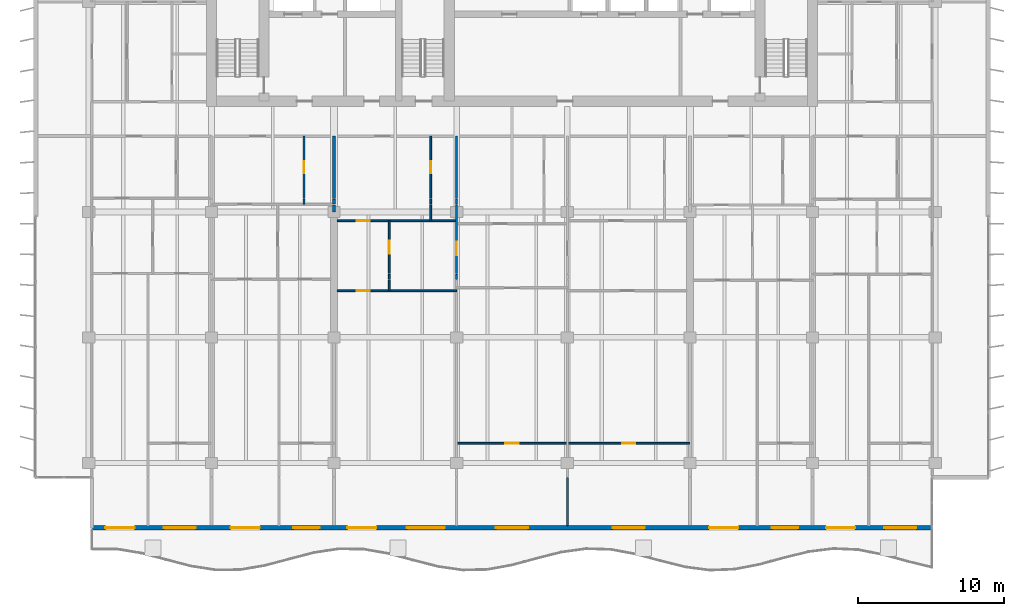
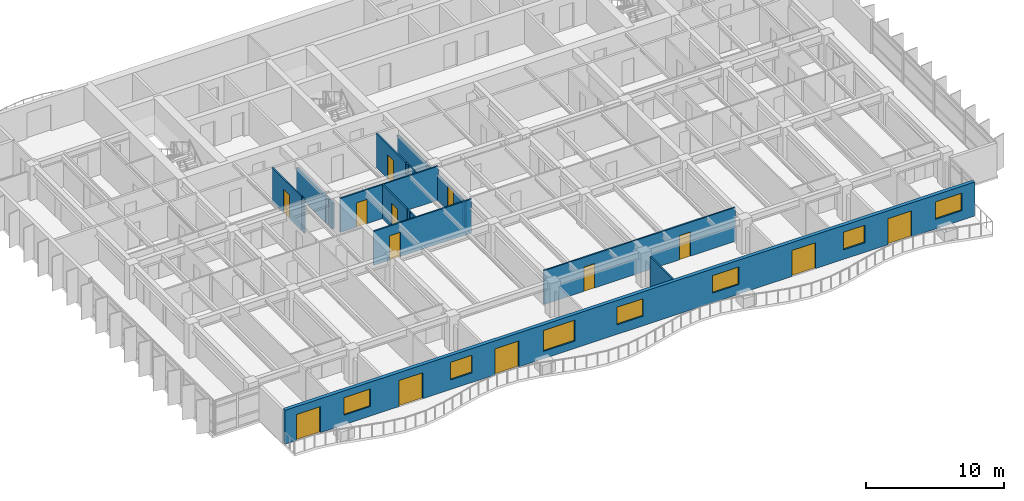
# One storey, part 9 of 18: 20 walls, 13 doors, 7 windows, 20 openings.
"""IFC4 building model written with IfcOpenShell, lengths in metres."""

from ifc_helpers import new_model, si_unit, direction, frame, frame_2d, origin, place, context, subcontext, project, spatial, rectangle, extrude, material, layer, layer_set, type_object, element, fill, save


model = new_model("IFC4")

# Units and contexts
model_context = context("Model", 3, precision=1e-05, world=origin(), true_north=direction((0.0, 1.0)))
body_context = subcontext(model_context, "Body", "Model", "MODEL_VIEW")
ifc_project = project(units=[si_unit("LENGTHUNIT", "METRE"), si_unit("AREAUNIT", "SQUARE_METRE"), si_unit("VOLUMEUNIT", "CUBIC_METRE"), si_unit("PLANEANGLEUNIT", "RADIAN"), si_unit("MASSUNIT", "GRAM", prefix="KILO")], contexts=[model_context])

# Site, building, storey
site_placement = place(None, origin())
site = spatial("IfcSite", under=ifc_project, at=site_placement, CompositionType="ELEMENT")
building_placement = place(site_placement, origin())
building = spatial("IfcBuilding", under=site, at=building_placement, Name="Caelmar Bay Residences", CompositionType="ELEMENT")
storey_placement = place(building_placement, frame((0.0, 0.0, 180.300048828125)))
storey = spatial("IfcBuildingStorey", under=building, at=storey_placement, Name="L50", CompositionType="ELEMENT", Elevation=180.300048828125)

# Wall, openings, doors, windows
ifc_material_1 = material(Name="Precast concrete f'c 40 MPa (6,000 psi)", Category="concrete")
ifc_layer_1 = layer(ifc_material_1, 0.300048828125)
ifc_layer_set_1 = layer_set([ifc_layer_1], Name="Precast concrete f'c 40 MPa (6,000 psi)")
wall_type_1 = type_object("IfcWallType", Name="W-EXT-300", PredefinedType="STANDARD", material=ifc_layer_set_1)
wall_1_placement = place(storey_placement, frame((67.699951171875, 7.75, 0.0), z_axis=(0.0, 0.0, 1.0), x_axis=(-1.0, 0.0, 0.0)))
wall_1 = element("IfcWall", 1, at=wall_1_placement, inside=storey, type_object=wall_type_1, Name="L50 South Bayfront Exterior Wall", PredefinedType="STANDARD", context=body_context, shape_type="SweptSolid", body=[
    extrude(rectangle(XDim=57.599853515625, YDim=0.300048828125, at=frame_2d((28.7998046875, 0.0))), origin(), (0.0, 0.0, 1.0), 3.0),
])
opening_1_placement = place(wall_1_placement, frame((54.673095703125, 0.0, 0.0)))
opening_1 = element("IfcOpeningElement", 2, at=opening_1_placement, cuts=wall_1, Name="Opening L50-BD01", PredefinedType="OPENING", context=body_context, shape_type="SweptSolid", body=[
    extrude(rectangle(XDim=2.0, YDim=2.300048828125, at=frame_2d((1.0, 1.14990234375))), frame((0.0, 0.159912109375, 0.0), z_axis=(0.0, -1.0, 0.0), x_axis=(1.0, 0.0, 0.0)), (0.0, 0.0, 1.0), 0.320068359375),
])
opening_2_placement = place(wall_1_placement, frame((50.472900390625, 0.0, 0.85009765625)))
opening_2 = element("IfcOpeningElement", 3, at=opening_2_placement, cuts=wall_1, Name="Opening WN2", PredefinedType="OPENING", context=body_context, shape_type="SweptSolid", body=[
    extrude(rectangle(XDim=2.199951171875, YDim=1.550048828125, at=frame_2d((1.10009765625, 0.77490234375))), frame((0.0, 0.159912109375, 0.0), z_axis=(0.0, -1.0, 0.0), x_axis=(1.0, 0.0, 0.0)), (0.0, 0.0, 1.0), 0.320068359375),
])
opening_3_placement = place(wall_1_placement, frame((46.090087890625, 0.0, 0.0)))
opening_3 = element("IfcOpeningElement", 4, at=opening_3_placement, cuts=wall_1, Name="Opening L50-BD02", PredefinedType="OPENING", context=body_context, shape_type="SweptSolid", body=[
    extrude(rectangle(XDim=2.0, YDim=2.300048828125, at=frame_2d((1.0, 1.14990234375))), frame((0.0, 0.159912109375, 0.0), z_axis=(0.0, -1.0, 0.0), x_axis=(1.0, 0.0, 0.0)), (0.0, 0.0, 1.0), 0.320068359375),
])
opening_4_placement = place(wall_1_placement, frame((41.989990234375, 0.0, 0.85009765625)))
opening_4 = element("IfcOpeningElement", 5, at=opening_4_placement, cuts=wall_1, Name="Opening WN1", PredefinedType="OPENING", context=body_context, shape_type="SweptSolid", body=[
    extrude(rectangle(XDim=1.800048828125, YDim=1.550048828125, at=frame_2d((0.89990234375, 0.77490234375))), frame((0.0, 0.159912109375, 0.0), z_axis=(0.0, -1.0, 0.0), x_axis=(1.0, 0.0, 0.0)), (0.0, 0.0, 1.0), 0.320068359375),
])
opening_5_placement = place(wall_1_placement, frame((38.090087890625, 0.0, 0.0)))
opening_5 = element("IfcOpeningElement", 6, at=opening_5_placement, cuts=wall_1, Name="Opening L50-BD03", PredefinedType="OPENING", context=body_context, shape_type="SweptSolid", body=[
    extrude(rectangle(XDim=2.0, YDim=2.300048828125, at=frame_2d((1.0, 1.14990234375))), frame((0.0, 0.159912109375, 0.0), z_axis=(0.0, -1.0, 0.0), x_axis=(1.0, 0.0, 0.0)), (0.0, 0.0, 1.0), 0.320068359375),
])
opening_6_placement = place(wall_1_placement, frame((33.409912109375, 0.0, 0.64990234375)))
opening_6 = element("IfcOpeningElement", 7, at=opening_6_placement, cuts=wall_1, Name="Opening WN3", PredefinedType="OPENING", context=body_context, shape_type="SweptSolid", body=[
    extrude(rectangle(XDim=2.60009765625, YDim=1.85009765625, at=frame_2d((1.300048828125, 0.925048828125))), frame((0.0, 0.159912109375, 0.0), z_axis=(0.0, -1.0, 0.0), x_axis=(1.0, 0.0, 0.0)), (0.0, 0.0, 1.0), 0.320068359375),
])
opening_7_placement = place(wall_1_placement, frame((27.699951171875, 0.0, 0.85009765625)))
opening_7 = element("IfcOpeningElement", 8, at=opening_7_placement, cuts=wall_1, Name="Opening WN2", PredefinedType="OPENING", context=body_context, shape_type="SweptSolid", body=[
    extrude(rectangle(XDim=2.199951171875, YDim=1.550048828125, at=frame_2d((1.10009765625, 0.77490234375))), frame((0.0, 0.159912109375, 0.0), z_axis=(0.0, -1.0, 0.0), x_axis=(1.0, 0.0, 0.0)), (0.0, 0.0, 1.0), 0.320068359375),
])
opening_8_placement = place(wall_1_placement, frame((19.699951171875, 0.0, 0.85009765625)))
opening_8 = element("IfcOpeningElement", 9, at=opening_8_placement, cuts=wall_1, Name="Opening WN2", PredefinedType="OPENING", context=body_context, shape_type="SweptSolid", body=[
    extrude(rectangle(XDim=2.199951171875, YDim=1.550048828125, at=frame_2d((1.10009765625, 0.77490234375))), frame((0.0, 0.159912109375, 0.0), z_axis=(0.0, -1.0, 0.0), x_axis=(1.0, 0.0, 0.0)), (0.0, 0.0, 1.0), 0.320068359375),
])
opening_9_placement = place(wall_1_placement, frame((13.2900390625, 0.0, 0.0)))
opening_9 = element("IfcOpeningElement", 10, at=opening_9_placement, cuts=wall_1, Name="Opening L50-BD04", PredefinedType="OPENING", context=body_context, shape_type="SweptSolid", body=[
    extrude(rectangle(XDim=2.0, YDim=2.300048828125, at=frame_2d((1.0, 1.14990234375))), frame((0.0, 0.159912109375, 0.0), z_axis=(0.0, -1.0, 0.0), x_axis=(1.0, 0.0, 0.0)), (0.0, 0.0, 1.0), 0.320068359375),
])
opening_10_placement = place(wall_1_placement, frame((9.18994140625, 0.0, 0.85009765625)))
opening_10 = element("IfcOpeningElement", 11, at=opening_10_placement, cuts=wall_1, Name="Opening WN1", PredefinedType="OPENING", context=body_context, shape_type="SweptSolid", body=[
    extrude(rectangle(XDim=1.800048828125, YDim=1.550048828125, at=frame_2d((0.89990234375, 0.77490234375))), frame((0.0, 0.159912109375, 0.0), z_axis=(0.0, -1.0, 0.0), x_axis=(1.0, 0.0, 0.0)), (0.0, 0.0, 1.0), 0.320068359375),
])
opening_11_placement = place(wall_1_placement, frame((5.27294921875, 0.0, 0.0)))
opening_11 = element("IfcOpeningElement", 12, at=opening_11_placement, cuts=wall_1, Name="Opening L50-BD05", PredefinedType="OPENING", context=body_context, shape_type="SweptSolid", body=[
    extrude(rectangle(XDim=2.0, YDim=2.300048828125, at=frame_2d((1.0, 1.14990234375))), frame((0.0, 0.159912109375, 0.0), z_axis=(0.0, -1.0, 0.0), x_axis=(1.0, 0.0, 0.0)), (0.0, 0.0, 1.0), 0.320068359375),
])
opening_12_placement = place(wall_1_placement, frame((1.072998046875, 0.0, 0.85009765625)))
opening_12 = element("IfcOpeningElement", 13, at=opening_12_placement, cuts=wall_1, Name="Opening WN2", PredefinedType="OPENING", context=body_context, shape_type="SweptSolid", body=[
    extrude(rectangle(XDim=2.199951171875, YDim=1.550048828125, at=frame_2d((1.10009765625, 0.77490234375))), frame((0.0, 0.159912109375, 0.0), z_axis=(0.0, -1.0, 0.0), x_axis=(1.0, 0.0, 0.0)), (0.0, 0.0, 1.0), 0.320068359375),
])
ifc_material_2 = material(Name="Anodised bronze thermally broken sliding glass door", Category="glass")
ifc_layer_2 = layer(ifc_material_2, 0.050048828125)
ifc_layer_set_2 = layer_set([ifc_layer_2], Name="Anodised bronze thermally broken sliding glass door")
door_type_1 = type_object("IfcDoorType", Name="D-BAL-2000", OperationType="DOUBLE_DOOR_SLIDING", PredefinedType="DOOR", material=ifc_layer_set_2)
door_1_placement = place(opening_1_placement, origin())
door_1 = element("IfcDoor", 14, at=door_1_placement, inside=storey, type_object=door_type_1, Name="L50 Residence 01 Living Room Balcony Door", OperationType="DOUBLE_DOOR_SLIDING", OverallHeight=2.300048828125, OverallWidth=2.0, PredefinedType="DOOR", context=body_context, shape_type="SweptSolid", body=[
    extrude(rectangle(XDim=2.0, YDim=2.300048828125, at=frame_2d((1.0, 1.14990234375))), frame((0.0, 0.02490234375, 0.0), z_axis=(0.0, -1.0, 0.0), x_axis=(1.0, 0.0, 0.0)), (0.0, 0.0, 1.0), 0.050048828125),
])
fill(opening_1, door_1)
door_2_placement = place(opening_3_placement, origin())
door_2 = element("IfcDoor", 15, at=door_2_placement, inside=storey, type_object=door_type_1, Name="L50 Residence 02 Penthouse Living Salon Balcony Door", OperationType="DOUBLE_DOOR_SLIDING", OverallHeight=2.300048828125, OverallWidth=2.0, PredefinedType="DOOR", context=body_context, shape_type="SweptSolid", body=[
    extrude(rectangle(XDim=2.0, YDim=2.300048828125, at=frame_2d((1.0, 1.14990234375))), frame((0.0, 0.02490234375, 0.0), z_axis=(0.0, -1.0, 0.0), x_axis=(1.0, 0.0, 0.0)), (0.0, 0.0, 1.0), 0.050048828125),
])
fill(opening_3, door_2)
door_3_placement = place(opening_5_placement, origin())
door_3 = element("IfcDoor", 16, at=door_3_placement, inside=storey, type_object=door_type_1, Name="L50 Residence 03 Penthouse Living Salon Balcony Door", OperationType="DOUBLE_DOOR_SLIDING", OverallHeight=2.300048828125, OverallWidth=2.0, PredefinedType="DOOR", context=body_context, shape_type="SweptSolid", body=[
    extrude(rectangle(XDim=2.0, YDim=2.300048828125, at=frame_2d((1.0, 1.14990234375))), frame((0.0, 0.02490234375, 0.0), z_axis=(0.0, -1.0, 0.0), x_axis=(1.0, 0.0, 0.0)), (0.0, 0.0, 1.0), 0.050048828125),
])
fill(opening_5, door_3)
door_4_placement = place(opening_9_placement, origin())
door_4 = element("IfcDoor", 17, at=door_4_placement, inside=storey, type_object=door_type_1, Name="L50 Residence 04 Penthouse Living Salon Balcony Door", OperationType="DOUBLE_DOOR_SLIDING", OverallHeight=2.300048828125, OverallWidth=2.0, PredefinedType="DOOR", context=body_context, shape_type="SweptSolid", body=[
    extrude(rectangle(XDim=2.0, YDim=2.300048828125, at=frame_2d((1.0, 1.14990234375))), frame((0.0, 0.02490234375, 0.0), z_axis=(0.0, -1.0, 0.0), x_axis=(1.0, 0.0, 0.0)), (0.0, 0.0, 1.0), 0.050048828125),
])
fill(opening_9, door_4)
door_5_placement = place(opening_11_placement, origin())
door_5 = element("IfcDoor", 18, at=door_5_placement, inside=storey, type_object=door_type_1, Name="L50 Residence 05 Living Room Balcony Door", OperationType="DOUBLE_DOOR_SLIDING", OverallHeight=2.300048828125, OverallWidth=2.0, PredefinedType="DOOR", context=body_context, shape_type="SweptSolid", body=[
    extrude(rectangle(XDim=2.0, YDim=2.300048828125, at=frame_2d((1.0, 1.14990234375))), frame((0.0, 0.02490234375, 0.0), z_axis=(0.0, -1.0, 0.0), x_axis=(1.0, 0.0, 0.0)), (0.0, 0.0, 1.0), 0.050048828125),
])
fill(opening_11, door_5)
ifc_material_3 = material(Name="Bronze aluminium frame with laminated low-E glass", Category="aluminium")
ifc_layer_3 = layer(ifc_material_3, 0.06005859375)
ifc_layer_set_3 = layer_set([ifc_layer_3], Name="Bronze aluminium frame with laminated low-E glass")
window_type_1 = type_object("IfcWindowType", Name="WIN-BR-1800", PartitioningType="SINGLE_PANEL", PredefinedType="WINDOW", material=ifc_layer_set_3)
window_1_placement = place(opening_4_placement, origin())
window_1 = element("IfcWindow", 19, at=window_1_placement, inside=storey, type_object=window_type_1, Name="L50 Residence 02 Primary Bedroom Window", OverallHeight=1.550048828125, OverallWidth=1.800048828125, PartitioningType="SINGLE_PANEL", PredefinedType="WINDOW", context=body_context, shape_type="SweptSolid", body=[
    extrude(rectangle(XDim=1.800048828125, YDim=1.550048828125, at=frame_2d((0.89990234375, 0.77490234375))), frame((0.0, 0.030029296875, 0.0), z_axis=(0.0, -1.0, 0.0), x_axis=(1.0, 0.0, 0.0)), (0.0, 0.0, 1.0), 0.06005859375),
])
fill(opening_4, window_1)
window_2_placement = place(opening_10_placement, origin())
window_2 = element("IfcWindow", 20, at=window_2_placement, inside=storey, type_object=window_type_1, Name="L50 Residence 04 Primary Bedroom Window", OverallHeight=1.550048828125, OverallWidth=1.800048828125, PartitioningType="SINGLE_PANEL", PredefinedType="WINDOW", context=body_context, shape_type="SweptSolid", body=[
    extrude(rectangle(XDim=1.800048828125, YDim=1.550048828125, at=frame_2d((0.89990234375, 0.77490234375))), frame((0.0, 0.030029296875, 0.0), z_axis=(0.0, -1.0, 0.0), x_axis=(1.0, 0.0, 0.0)), (0.0, 0.0, 1.0), 0.06005859375),
])
fill(opening_10, window_2)
ifc_layer_4 = layer(ifc_material_3, 0.06005859375)
ifc_layer_set_4 = layer_set([ifc_layer_4], Name="Bronze aluminium frame with laminated low-E glass")
window_type_2 = type_object("IfcWindowType", Name="WIN-BR-2200", PartitioningType="SINGLE_PANEL", PredefinedType="WINDOW", material=ifc_layer_set_4)
window_3_placement = place(opening_2_placement, origin())
window_3 = element("IfcWindow", 21, at=window_3_placement, inside=storey, type_object=window_type_2, Name="L50 Residence 01 Primary Bedroom Window", OverallHeight=1.550048828125, OverallWidth=2.199951171875, PartitioningType="SINGLE_PANEL", PredefinedType="WINDOW", context=body_context, shape_type="SweptSolid", body=[
    extrude(rectangle(XDim=2.199951171875, YDim=1.550048828125, at=frame_2d((1.10009765625, 0.77490234375))), frame((0.0, 0.030029296875, 0.0), z_axis=(0.0, -1.0, 0.0), x_axis=(1.0, 0.0, 0.0)), (0.0, 0.0, 1.0), 0.06005859375),
])
fill(opening_2, window_3)
window_4_placement = place(opening_7_placement, origin())
window_4 = element("IfcWindow", 22, at=window_4_placement, inside=storey, type_object=window_type_2, Name="L50 Residence 03 Primary Bedroom 1 Window", OverallHeight=1.550048828125, OverallWidth=2.199951171875, PartitioningType="SINGLE_PANEL", PredefinedType="WINDOW", context=body_context, shape_type="SweptSolid", body=[
    extrude(rectangle(XDim=2.199951171875, YDim=1.550048828125, at=frame_2d((1.10009765625, 0.77490234375))), frame((0.0, 0.030029296875, 0.0), z_axis=(0.0, -1.0, 0.0), x_axis=(1.0, 0.0, 0.0)), (0.0, 0.0, 1.0), 0.06005859375),
])
fill(opening_7, window_4)
window_5_placement = place(opening_8_placement, origin())
window_5 = element("IfcWindow", 23, at=window_5_placement, inside=storey, type_object=window_type_2, Name="L50 Residence 03 Primary Bedroom 2 Window", OverallHeight=1.550048828125, OverallWidth=2.199951171875, PartitioningType="SINGLE_PANEL", PredefinedType="WINDOW", context=body_context, shape_type="SweptSolid", body=[
    extrude(rectangle(XDim=2.199951171875, YDim=1.550048828125, at=frame_2d((1.10009765625, 0.77490234375))), frame((0.0, 0.030029296875, 0.0), z_axis=(0.0, -1.0, 0.0), x_axis=(1.0, 0.0, 0.0)), (0.0, 0.0, 1.0), 0.06005859375),
])
fill(opening_8, window_5)
window_6_placement = place(opening_12_placement, origin())
window_6 = element("IfcWindow", 24, at=window_6_placement, inside=storey, type_object=window_type_2, Name="L50 Residence 05 Primary Bedroom Window", OverallHeight=1.550048828125, OverallWidth=2.199951171875, PartitioningType="SINGLE_PANEL", PredefinedType="WINDOW", context=body_context, shape_type="SweptSolid", body=[
    extrude(rectangle(XDim=2.199951171875, YDim=1.550048828125, at=frame_2d((1.10009765625, 0.77490234375))), frame((0.0, 0.030029296875, 0.0), z_axis=(0.0, -1.0, 0.0), x_axis=(1.0, 0.0, 0.0)), (0.0, 0.0, 1.0), 0.06005859375),
])
fill(opening_12, window_6)
ifc_layer_5 = layer(ifc_material_3, 0.06005859375)
ifc_layer_set_5 = layer_set([ifc_layer_5], Name="Bronze aluminium frame with laminated low-E glass")
window_type_3 = type_object("IfcWindowType", Name="WIN-LIV-2600", PartitioningType="SINGLE_PANEL", PredefinedType="WINDOW", material=ifc_layer_set_5)
window_7_placement = place(opening_6_placement, origin())
window_7 = element("IfcWindow", 25, at=window_7_placement, inside=storey, type_object=window_type_3, Name="L50 Residence 03 Penthouse Living Salon Panoramic Window", OverallHeight=1.85009765625, OverallWidth=2.60009765625, PartitioningType="SINGLE_PANEL", PredefinedType="WINDOW", context=body_context, shape_type="SweptSolid", body=[
    extrude(rectangle(XDim=2.60009765625, YDim=1.85009765625, at=frame_2d((1.300048828125, 0.925048828125))), frame((0.0, 0.030029296875, 0.0), z_axis=(0.0, -1.0, 0.0), x_axis=(1.0, 0.0, 0.0)), (0.0, 0.0, 1.0), 0.06005859375),
])
fill(opening_6, window_7)

# Wall
ifc_material_4 = material(Name="Acoustic metal-stud gypsum partition 120 mm")
ifc_layer_6 = layer(ifc_material_4, 0.1201171875)
ifc_layer_set_6 = layer_set([ifc_layer_6], Name="Acoustic metal-stud gypsum partition 120 mm")
wall_type_2 = type_object("IfcWallType", Name="W-PRT-120", PredefinedType="PARTITIONING", material=ifc_layer_set_6)
wall_2_placement = place(storey_placement, frame((24.639892578125, 29.93994140625, 0.0), z_axis=(0.0, 0.0, 1.0), x_axis=(0.0, 1.0, 0.0)))
element("IfcWall", 26, at=wall_2_placement, inside=storey, type_object=wall_type_2, Name="L50 Partition Wall V028", PredefinedType="PARTITIONING", context=body_context, shape_type="SweptSolid", body=[
    extrude(rectangle(XDim=0.340087890625, YDim=0.1201171875, at=frame_2d((0.169921875, 0.0))), origin(), (0.0, 0.0, 1.0), 3.0),
])

# Wall, opening, door
wall_3_placement = place(storey_placement, frame((24.639892578125, 30.340087890625, 0.0), z_axis=(0.0, 0.0, 1.0), x_axis=(0.0, 1.0, 0.0)))
wall_3 = element("IfcWall", 27, at=wall_3_placement, inside=storey, type_object=wall_type_2, Name="L50 Partition Wall V029", PredefinedType="PARTITIONING", context=body_context, shape_type="SweptSolid", body=[
    extrude(rectangle(XDim=4.260009765625, YDim=0.1201171875, at=frame_2d((2.1298828125, 0.0))), origin(), (0.0, 0.0, 1.0), 3.0),
])
opening_13_placement = place(wall_3_placement, frame((1.705078125, 0.0, 0.0)))
opening_13 = element("IfcOpeningElement", 28, at=opening_13_placement, cuts=wall_3, Name="Opening D-L50-129", PredefinedType="OPENING", context=body_context, shape_type="SweptSolid", body=[
    extrude(rectangle(XDim=0.85009765625, YDim=2.10009765625, at=frame_2d((0.425048828125, 1.050048828125))), frame((0.0, 0.070068359375, 0.0), z_axis=(0.0, -1.0, 0.0), x_axis=(1.0, 0.0, 0.0)), (0.0, 0.0, 1.0), 0.14013671875),
])
ifc_material_5 = material(Name="Solid walnut timber interior door leaf and frame", Category="wood")
ifc_layer_7 = layer(ifc_material_5, 0.050048828125)
ifc_layer_set_7 = layer_set([ifc_layer_7], Name="Solid walnut timber interior door leaf and frame")
door_type_2 = type_object("IfcDoorType", Name="D-BATH-850", OperationType="NOTDEFINED", PredefinedType="DOOR", material=ifc_layer_set_7)
door_6_placement = place(opening_13_placement, origin())
door_6 = element("IfcDoor", 29, at=door_6_placement, inside=storey, type_object=door_type_2, Name="L50 Residence 02 Bathroom Door", OperationType="SINGLE_SWING_RIGHT", OverallHeight=2.10009765625, OverallWidth=0.85009765625, PredefinedType="DOOR", context=body_context, shape_type="SweptSolid", body=[
    extrude(rectangle(XDim=0.85009765625, YDim=2.10009765625, at=frame_2d((0.425048828125, 1.050048828125))), frame((0.0, 0.02490234375, 0.0), z_axis=(0.0, -1.0, 0.0), x_axis=(1.0, 0.0, 0.0)), (0.0, 0.0, 1.0), 0.050048828125),
])
fill(opening_13, door_6)

# Walls
wall_4_placement = place(storey_placement, frame((30.47998046875, 24.0, 0.0), z_axis=(0.0, 0.0, 1.0), x_axis=(0.0, 1.0, 0.0)))
element("IfcWall", 30, at=wall_4_placement, inside=storey, type_object=wall_type_2, Name="L50 Partition Wall V038", PredefinedType="PARTITIONING", context=body_context, shape_type="SweptSolid", body=[
    extrude(rectangle(XDim=0.72998046875, YDim=0.1201171875, at=frame_2d((0.364990234375, 0.0))), origin(), (0.0, 0.0, 1.0), 3.0),
])
wall_5_placement = place(storey_placement, frame((30.47998046875, 24.7900390625, 0.0), z_axis=(0.0, 0.0, 1.0), x_axis=(0.0, 1.0, 0.0)))
element("IfcWall", 31, at=wall_5_placement, inside=storey, type_object=wall_type_2, Name="L50 Partition Wall V039", PredefinedType="PARTITIONING", context=body_context, shape_type="SweptSolid", body=[
    extrude(rectangle(XDim=0.33984375, YDim=0.1201171875, at=frame_2d((0.169921875, 0.0))), origin(), (0.0, 0.0, 1.0), 3.0),
])

# Wall, opening, door
wall_6_placement = place(storey_placement, frame((30.47998046875, 25.18994140625, 0.0), z_axis=(0.0, 0.0, 1.0), x_axis=(0.0, 1.0, 0.0)))
wall_6 = element("IfcWall", 32, at=wall_6_placement, inside=storey, type_object=wall_type_2, Name="L50 Partition Wall V040", PredefinedType="PARTITIONING", context=body_context, shape_type="SweptSolid", body=[
    extrude(rectangle(XDim=3.610107421875, YDim=0.1201171875, at=frame_2d((1.80517578125, 0.0))), origin(), (0.0, 0.0, 1.0), 3.0),
])
opening_14_placement = place(wall_6_placement, frame((1.35498046875, 0.0, 0.0)))
opening_14 = element("IfcOpeningElement", 33, at=opening_14_placement, cuts=wall_6, Name="Opening D-L50-138", PredefinedType="OPENING", context=body_context, shape_type="SweptSolid", body=[
    extrude(rectangle(XDim=0.89990234375, YDim=2.14990234375, at=frame_2d((0.449951171875, 1.074951171875))), frame((0.0, 0.070068359375, 0.0), z_axis=(0.0, -1.0, 0.0), x_axis=(1.0, 0.0, 0.0)), (0.0, 0.0, 1.0), 0.14013671875),
])
ifc_layer_8 = layer(ifc_material_5, 0.050048828125)
ifc_layer_set_8 = layer_set([ifc_layer_8], Name="Solid walnut timber interior door leaf and frame")
door_type_3 = type_object("IfcDoorType", Name="D-ROOM-900", OperationType="NOTDEFINED", PredefinedType="DOOR", material=ifc_layer_set_8)
door_7_placement = place(opening_14_placement, origin())
door_7 = element("IfcDoor", 34, at=door_7_placement, inside=storey, type_object=door_type_3, Name="L50 Residence 03 Kitchen Door", OperationType="SINGLE_SWING_LEFT", OverallHeight=2.14990234375, OverallWidth=0.89990234375, PredefinedType="DOOR", context=body_context, shape_type="SweptSolid", body=[
    extrude(rectangle(XDim=0.89990234375, YDim=2.14990234375, at=frame_2d((0.449951171875, 1.074951171875))), frame((0.0, 0.02490234375, 0.0), z_axis=(0.0, -1.0, 0.0), x_axis=(1.0, 0.0, 0.0)), (0.0, 0.0, 1.0), 0.050048828125),
])
fill(opening_14, door_7)

# Walls
wall_7_placement = place(storey_placement, frame((33.323974609375, 28.800048828125, 0.0), z_axis=(0.0, 0.0, 1.0), x_axis=(0.0, 1.0, 0.0)))
element("IfcWall", 35, at=wall_7_placement, inside=storey, type_object=wall_type_2, Name="L50 Partition Wall V042", PredefinedType="PARTITIONING", context=body_context, shape_type="SweptSolid", body=[
    extrude(rectangle(XDim=1.079833984375, YDim=0.1201171875, at=frame_2d((0.5400390625, 0.0))), origin(), (0.0, 0.0, 1.0), 3.0),
])
wall_8_placement = place(storey_placement, frame((33.323974609375, 29.93994140625, 0.0), z_axis=(0.0, 0.0, 1.0), x_axis=(0.0, 1.0, 0.0)))
element("IfcWall", 36, at=wall_8_placement, inside=storey, type_object=wall_type_2, Name="L50 Partition Wall V043", PredefinedType="PARTITIONING", context=body_context, shape_type="SweptSolid", body=[
    extrude(rectangle(XDim=0.340087890625, YDim=0.1201171875, at=frame_2d((0.169921875, 0.0))), origin(), (0.0, 0.0, 1.0), 3.0),
])

# Wall, opening, door
wall_9_placement = place(storey_placement, frame((33.323974609375, 30.340087890625, 0.0), z_axis=(0.0, 0.0, 1.0), x_axis=(0.0, 1.0, 0.0)))
wall_9 = element("IfcWall", 37, at=wall_9_placement, inside=storey, type_object=wall_type_2, Name="L50 Partition Wall V044", PredefinedType="PARTITIONING", context=body_context, shape_type="SweptSolid", body=[
    extrude(rectangle(XDim=4.260009765625, YDim=0.1201171875, at=frame_2d((2.1298828125, 0.0))), origin(), (0.0, 0.0, 1.0), 3.0),
])
opening_15_placement = place(wall_9_placement, frame((1.705078125, 0.0, 0.0)))
opening_15 = element("IfcOpeningElement", 38, at=opening_15_placement, cuts=wall_9, Name="Opening D-L50-136", PredefinedType="OPENING", context=body_context, shape_type="SweptSolid", body=[
    extrude(rectangle(XDim=0.85009765625, YDim=2.10009765625, at=frame_2d((0.425048828125, 1.050048828125))), frame((0.0, 0.070068359375, 0.0), z_axis=(0.0, -1.0, 0.0), x_axis=(1.0, 0.0, 0.0)), (0.0, 0.0, 1.0), 0.14013671875),
])
door_8_placement = place(opening_15_placement, origin())
door_8 = element("IfcDoor", 39, at=door_8_placement, inside=storey, type_object=door_type_2, Name="L50 Residence 03 Guest Bathroom Door", OperationType="SINGLE_SWING_LEFT", OverallHeight=2.10009765625, OverallWidth=0.85009765625, PredefinedType="DOOR", context=body_context, shape_type="SweptSolid", body=[
    extrude(rectangle(XDim=0.85009765625, YDim=2.10009765625, at=frame_2d((0.425048828125, 1.050048828125))), frame((0.0, 0.02490234375, 0.0), z_axis=(0.0, -1.0, 0.0), x_axis=(1.0, 0.0, 0.0)), (0.0, 0.0, 1.0), 0.050048828125),
])
fill(opening_15, door_8)

# Wall
wall_10_placement = place(storey_placement, frame((35.10009765625, 24.7900390625, 0.0), z_axis=(0.0, 0.0, 1.0), x_axis=(0.0, 1.0, 0.0)))
element("IfcWall", 40, at=wall_10_placement, inside=storey, type_object=wall_type_2, Name="L50 Partition Wall V047", PredefinedType="PARTITIONING", context=body_context, shape_type="SweptSolid", body=[
    extrude(rectangle(XDim=0.33984375, YDim=0.1201171875, at=frame_2d((0.169921875, 0.0))), origin(), (0.0, 0.0, 1.0), 2.212890625),
])

# Wall, opening, door
wall_11_placement = place(storey_placement, frame((35.10009765625, 25.18994140625, 0.0), z_axis=(0.0, 0.0, 1.0), x_axis=(0.0, 1.0, 0.0)))
wall_11 = element("IfcWall", 41, at=wall_11_placement, inside=storey, type_object=wall_type_2, Name="L50 Partition Wall V048", PredefinedType="PARTITIONING", context=body_context, shape_type="SweptSolid", body=[
    extrude(rectangle(XDim=4.68994140625, YDim=0.1201171875, at=frame_2d((2.344970703125, 0.0))), origin(), (0.0, 0.0, 1.0), 2.212890625),
])
opening_16_placement = place(wall_11_placement, frame((1.2548828125, 0.0, 0.0)))
opening_16 = element("IfcOpeningElement", 42, at=opening_16_placement, cuts=wall_11, Name="Opening D-L50-140", PredefinedType="OPENING", context=body_context, shape_type="SweptSolid", body=[
    extrude(rectangle(XDim=0.89990234375, YDim=2.14990234375, at=frame_2d((0.449951171875, 1.074951171875))), frame((0.0, 0.070068359375, 0.0), z_axis=(0.0, -1.0, 0.0), x_axis=(1.0, 0.0, 0.0)), (0.0, 0.0, 1.0), 0.14013671875),
])
door_9_placement = place(opening_16_placement, origin())
door_9 = element("IfcDoor", 43, at=door_9_placement, inside=storey, type_object=door_type_3, Name="L50 Residence 03 Formal Dining Room 1 Door", OperationType="SINGLE_SWING_LEFT", OverallHeight=2.14990234375, OverallWidth=0.89990234375, PredefinedType="DOOR", context=body_context, shape_type="SweptSolid", body=[
    extrude(rectangle(XDim=0.89990234375, YDim=2.14990234375, at=frame_2d((0.449951171875, 1.074951171875))), frame((0.0, 0.02490234375, 0.0), z_axis=(0.0, -1.0, 0.0), x_axis=(1.0, 0.0, 0.0)), (0.0, 0.0, 1.0), 0.050048828125),
])
fill(opening_16, door_9)

# Walls
wall_12_placement = place(storey_placement, frame((35.10009765625, 29.93994140625, 0.0), z_axis=(0.0, 0.0, 1.0), x_axis=(0.0, 1.0, 0.0)))
element("IfcWall", 44, at=wall_12_placement, inside=storey, type_object=wall_type_2, Name="L50 Partition Wall V049", PredefinedType="PARTITIONING", context=body_context, shape_type="SweptSolid", body=[
    extrude(rectangle(XDim=0.340087890625, YDim=0.1201171875, at=frame_2d((0.169921875, 0.0))), origin(), (0.0, 0.0, 1.0), 2.212890625),
])
wall_13_placement = place(storey_placement, frame((35.10009765625, 30.340087890625, 0.0), z_axis=(0.0, 0.0, 1.0), x_axis=(0.0, 1.0, 0.0)))
element("IfcWall", 45, at=wall_13_placement, inside=storey, type_object=wall_type_2, Name="L50 Partition Wall V050", PredefinedType="PARTITIONING", context=body_context, shape_type="SweptSolid", body=[
    extrude(rectangle(XDim=4.260009765625, YDim=0.1201171875, at=frame_2d((2.1298828125, 0.0))), origin(), (0.0, 0.0, 1.0), 2.212890625),
])
wall_14_placement = place(storey_placement, frame((42.699951171875, 7.89501953125, 0.0), z_axis=(0.0, 0.0, 1.0), x_axis=(0.0, 1.0, 0.0)))
element("IfcWall", 46, at=wall_14_placement, inside=storey, type_object=wall_type_2, Name="L50 Partition Wall V055", PredefinedType="PARTITIONING", context=body_context, shape_type="SweptSolid", body=[
    extrude(rectangle(XDim=3.304931640625, YDim=0.1201171875, at=frame_2d((1.65234375, 0.0))), origin(), (0.0, 0.0, 1.0), 3.0),
])

# Wall, openings, doors
wall_15_placement = place(storey_placement, frame((35.10009765625, 13.550048828125, 0.0), z_axis=(0.0, 0.0, 1.0), x_axis=(1.0, 0.0, 0.0)))
wall_15 = element("IfcWall", 47, at=wall_15_placement, inside=storey, type_object=wall_type_2, Name="L50 Partition Wall H108", PredefinedType="PARTITIONING", context=body_context, shape_type="SweptSolid", body=[
    extrude(rectangle(XDim=16.0, YDim=0.1201171875, at=frame_2d((8.0, 0.0))), origin(), (0.0, 0.0, 1.0), 3.0),
])
opening_17_placement = place(wall_15_placement, frame((3.35009765625, 0.0, 0.0)))
opening_17 = element("IfcOpeningElement", 48, at=opening_17_placement, cuts=wall_15, Name="Opening D-L50-144", PredefinedType="OPENING", context=body_context, shape_type="SweptSolid", body=[
    extrude(rectangle(XDim=0.89990234375, YDim=2.14990234375, at=frame_2d((0.449951171875, 1.074951171875))), frame((0.0, 0.070068359375, 0.0), z_axis=(0.0, -1.0, 0.0), x_axis=(1.0, 0.0, 0.0)), (0.0, 0.0, 1.0), 0.14013671875),
])
opening_18_placement = place(wall_15_placement, frame((11.35009765625, 0.0, 0.0)))
opening_18 = element("IfcOpeningElement", 49, at=opening_18_placement, cuts=wall_15, Name="Opening D-L50-149", PredefinedType="OPENING", context=body_context, shape_type="SweptSolid", body=[
    extrude(rectangle(XDim=0.89990234375, YDim=2.14990234375, at=frame_2d((0.449951171875, 1.074951171875))), frame((0.0, 0.070068359375, 0.0), z_axis=(0.0, -1.0, 0.0), x_axis=(1.0, 0.0, 0.0)), (0.0, 0.0, 1.0), 0.14013671875),
])
door_10_placement = place(opening_17_placement, origin())
door_10 = element("IfcDoor", 50, at=door_10_placement, inside=storey, type_object=door_type_3, Name="L50 Residence 03 Primary Bedroom 1 Door", OperationType="SINGLE_SWING_LEFT", OverallHeight=2.14990234375, OverallWidth=0.89990234375, PredefinedType="DOOR", context=body_context, shape_type="SweptSolid", body=[
    extrude(rectangle(XDim=0.89990234375, YDim=2.14990234375, at=frame_2d((0.449951171875, 1.074951171875))), frame((0.0, 0.02490234375, 0.0), z_axis=(0.0, -1.0, 0.0), x_axis=(1.0, 0.0, 0.0)), (0.0, 0.0, 1.0), 0.050048828125),
])
fill(opening_17, door_10)
door_11_placement = place(opening_18_placement, origin())
door_11 = element("IfcDoor", 51, at=door_11_placement, inside=storey, type_object=door_type_3, Name="L50 Residence 03 Primary Bedroom 2 Door", OperationType="SINGLE_SWING_RIGHT", OverallHeight=2.14990234375, OverallWidth=0.89990234375, PredefinedType="DOOR", context=body_context, shape_type="SweptSolid", body=[
    extrude(rectangle(XDim=0.89990234375, YDim=2.14990234375, at=frame_2d((0.449951171875, 1.074951171875))), frame((0.0, 0.02490234375, 0.0), z_axis=(0.0, -1.0, 0.0), x_axis=(1.0, 0.0, 0.0)), (0.0, 0.0, 1.0), 0.050048828125),
])
fill(opening_18, door_11)

# Wall, opening, door
wall_16_placement = place(storey_placement, frame((26.919921875, 24.0, 0.0), z_axis=(0.0, 0.0, 1.0), x_axis=(1.0, 0.0, 0.0)))
wall_16 = element("IfcWall", 52, at=wall_16_placement, inside=storey, type_object=wall_type_2, Name="L50 Partition Wall H112", PredefinedType="PARTITIONING", context=body_context, shape_type="SweptSolid", body=[
    extrude(rectangle(XDim=8.18017578125, YDim=0.1201171875, at=frame_2d((4.090087890625, 0.0))), origin(), (0.0, 0.0, 1.0), 3.0),
])
opening_19_placement = place(wall_16_placement, frame((1.330078125, 0.0, 0.0)))
opening_19 = element("IfcOpeningElement", 53, at=opening_19_placement, cuts=wall_16, Name="Opening D-L50-139", PredefinedType="OPENING", context=body_context, shape_type="SweptSolid", body=[
    extrude(rectangle(XDim=0.89990234375, YDim=2.14990234375, at=frame_2d((0.449951171875, 1.074951171875))), frame((0.0, 0.070068359375, 0.0), z_axis=(0.0, -1.0, 0.0), x_axis=(1.0, 0.0, 0.0)), (0.0, 0.0, 1.0), 0.14013671875),
])
door_12_placement = place(opening_19_placement, origin())
door_12 = element("IfcDoor", 54, at=door_12_placement, inside=storey, type_object=door_type_3, Name="L50 Residence 03 Penthouse Living Salon Door", OperationType="SINGLE_SWING_RIGHT", OverallHeight=2.14990234375, OverallWidth=0.89990234375, PredefinedType="DOOR", context=body_context, shape_type="SweptSolid", body=[
    extrude(rectangle(XDim=0.89990234375, YDim=2.14990234375, at=frame_2d((0.449951171875, 1.074951171875))), frame((0.0, 0.02490234375, 0.0), z_axis=(0.0, -1.0, 0.0), x_axis=(1.0, 0.0, 0.0)), (0.0, 0.0, 1.0), 0.050048828125),
])
fill(opening_19, door_12)

wall_17_placement = place(storey_placement, frame((26.919921875, 28.800048828125, 0.0), z_axis=(0.0, 0.0, 1.0), x_axis=(1.0, 0.0, 0.0)))
wall_17 = element("IfcWall", 55, at=wall_17_placement, inside=storey, type_object=wall_type_2, Name="L50 Partition Wall H121", PredefinedType="PARTITIONING", context=body_context, shape_type="SweptSolid", body=[
    extrude(rectangle(XDim=8.175048828125, YDim=0.1201171875, at=frame_2d((4.08740234375, 0.0))), origin(), (0.0, 0.0, 1.0), 3.0),
])
opening_20_placement = place(wall_17_placement, frame((1.330078125, 0.0, 0.0)))
opening_20 = element("IfcOpeningElement", 56, at=opening_20_placement, cuts=wall_17, Name="Opening D-L50-137", PredefinedType="OPENING", context=body_context, shape_type="SweptSolid", body=[
    extrude(rectangle(XDim=0.89990234375, YDim=2.14990234375, at=frame_2d((0.449951171875, 1.074951171875))), frame((0.0, 0.070068359375, 0.0), z_axis=(0.0, -1.0, 0.0), x_axis=(1.0, 0.0, 0.0)), (0.0, 0.0, 1.0), 0.14013671875),
])
door_13_placement = place(opening_20_placement, origin())
door_13 = element("IfcDoor", 57, at=door_13_placement, inside=storey, type_object=door_type_3, Name="L50 Residence 03 Dining Room Door", OperationType="SINGLE_SWING_RIGHT", OverallHeight=2.14990234375, OverallWidth=0.89990234375, PredefinedType="DOOR", context=body_context, shape_type="SweptSolid", body=[
    extrude(rectangle(XDim=0.89990234375, YDim=2.14990234375, at=frame_2d((0.449951171875, 1.074951171875))), frame((0.0, 0.02490234375, 0.0), z_axis=(0.0, -1.0, 0.0), x_axis=(1.0, 0.0, 0.0)), (0.0, 0.0, 1.0), 0.050048828125),
])
fill(opening_20, door_13)

# Walls
ifc_material_6 = material(Name="Acoustic twin-stud fire-rated inter-tenancy partition 200 mm")
ifc_layer_9 = layer(ifc_material_6, 0.199951171875)
ifc_layer_set_9 = layer_set([ifc_layer_9], Name="Acoustic twin-stud fire-rated inter-tenancy partition 200 mm")
wall_type_3 = type_object("IfcWallType", Name="W-PTY-200", PredefinedType="PARTITIONING", material=ifc_layer_set_9)
wall_18_placement = place(storey_placement, frame((26.699951171875, 29.405029296875, 0.0), z_axis=(0.0, 0.0, 1.0), x_axis=(0.0, 1.0, 0.0)))
element("IfcWall", 58, at=wall_18_placement, inside=storey, type_object=wall_type_3, Name="L50 Partition Wall V033", PredefinedType="PARTITIONING", context=body_context, shape_type="SweptSolid", body=[
    extrude(rectangle(XDim=0.474853515625, YDim=0.199951171875, at=frame_2d((0.2373046875, 0.0))), origin(), (0.0, 0.0, 1.0), 2.284912109375),
])
wall_19_placement = place(storey_placement, frame((26.699951171875, 29.93994140625, 0.0), z_axis=(0.0, 0.0, 1.0), x_axis=(0.0, 1.0, 0.0)))
element("IfcWall", 59, at=wall_19_placement, inside=storey, type_object=wall_type_3, Name="L50 Partition Wall V034", PredefinedType="PARTITIONING", context=body_context, shape_type="SweptSolid", body=[
    extrude(rectangle(XDim=0.340087890625, YDim=0.199951171875, at=frame_2d((0.169921875, 0.0))), origin(), (0.0, 0.0, 1.0), 2.284912109375),
])
wall_20_placement = place(storey_placement, frame((26.699951171875, 30.340087890625, 0.0), z_axis=(0.0, 0.0, 1.0), x_axis=(0.0, 1.0, 0.0)))
element("IfcWall", 60, at=wall_20_placement, inside=storey, type_object=wall_type_3, Name="L50 Partition Wall V035", PredefinedType="PARTITIONING", context=body_context, shape_type="SweptSolid", body=[
    extrude(rectangle(XDim=4.260009765625, YDim=0.199951171875, at=frame_2d((2.1298828125, 0.0))), origin(), (0.0, 0.0, 1.0), 2.284912109375),
])

save(model, "model.ifc")
